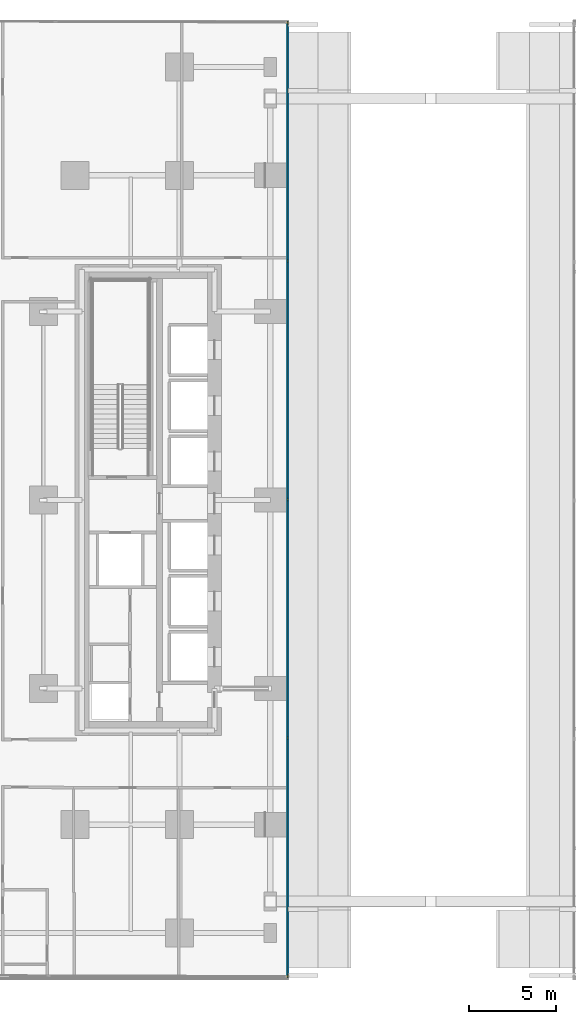
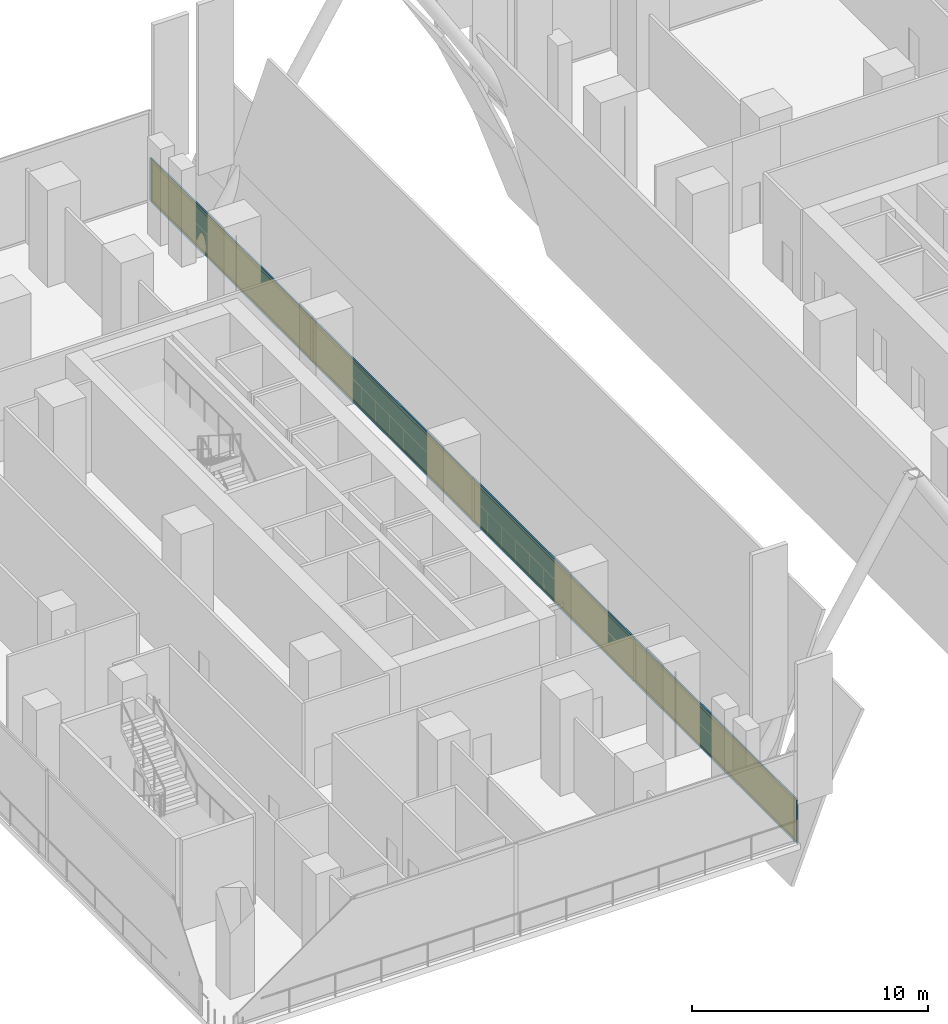
# One storey, part 14 of 31: 13 members, 4 plates, 1 curtain wall.
"""IFC4 building model written with IfcOpenShell, lengths in metres."""

from ifc_helpers import new_model, si_unit, direction, frame, frame_2d, origin, origin_2d, place, context, subcontext, project, spatial, rectangle, extrude, material, layer, layer_set, material_profile, profile_set, type_object, element, aggregate, save


model = new_model("IFC4")

# Units and contexts
model_context = context("Model", 3, precision=1e-05, world=origin(), true_north=direction((0.0, 1.0)))
body_context = subcontext(model_context, "Body", "Model", "MODEL_VIEW")
ifc_project = project(units=[si_unit("LENGTHUNIT", "METRE"), si_unit("AREAUNIT", "SQUARE_METRE"), si_unit("VOLUMEUNIT", "CUBIC_METRE"), si_unit("PLANEANGLEUNIT", "RADIAN"), si_unit("MASSUNIT", "GRAM", prefix="KILO")], contexts=[model_context])

# Member
ifc_material_1 = material(Name="Anodised Bronze Aluminium 6063-T6", Category="aluminium")
ifc_material_profile_1 = material_profile(ifc_material_1, rectangle(XDim=0.074951171875, YDim=0.199951171875, at=origin_2d()))
ifc_profile_set_1 = profile_set([ifc_material_profile_1], Name="Anodised Bronze Aluminium 6063-T6")
member_type_1 = type_object("IfcMemberType", Name="CW-POD Mullion 75x200", PredefinedType="MULLION", material=ifc_profile_set_1)
site_placement = place(None, origin())
building_placement = place(site_placement, origin())
storey_placement = place(building_placement, frame((0.0, 0.0, 6.0)))
member_1_placement = place(storey_placement, frame((-8.199951171875, 27.319091796875, 0.0), z_axis=(0.0, 0.0, 1.0), x_axis=(1.0, 0.0, 0.0)))
member_1 = element("IfcMember", 1, at=member_1_placement, type_object=member_type_1, Name="CW-POD mullion 1", PredefinedType="MULLION", context=body_context, shape_type="SweptSolid", body=[
    extrude(rectangle(XDim=0.074951171875, YDim=0.199951171875, at=origin_2d()), origin(), (0.0, 0.0, 1.0), 2.199951171875),
])

member_2_placement = place(storey_placement, frame((-8.199951171875, 13.691162109375, 0.0), z_axis=(0.0, 0.0, 1.0), x_axis=(1.0, 0.0, 0.0)))
member_2 = element("IfcMember", 2, at=member_2_placement, type_object=member_type_1, Name="CW-POD mullion 2", PredefinedType="MULLION", context=body_context, shape_type="SweptSolid", body=[
    extrude(rectangle(XDim=0.074951171875, YDim=0.199951171875, at=origin_2d()), origin(), (0.0, 0.0, 1.0), 2.199951171875),
])

member_3_placement = place(storey_placement, frame((-8.199951171875, 0.025634765625, 0.0), z_axis=(0.0, 0.0, 1.0), x_axis=(1.0, 0.0, 0.0)))
member_3 = element("IfcMember", 3, at=member_3_placement, type_object=member_type_1, Name="CW-POD mullion 3", PredefinedType="MULLION", context=body_context, shape_type="SweptSolid", body=[
    extrude(rectangle(XDim=0.074951171875, YDim=0.199951171875, at=origin_2d()), origin(), (0.0, 0.0, 1.0), 2.199951171875),
])

member_4_placement = place(storey_placement, frame((-8.199951171875, -13.6396484375, 0.0), z_axis=(0.0, 0.0, 1.0), x_axis=(1.0, 0.0, 0.0)))
member_4 = element("IfcMember", 4, at=member_4_placement, type_object=member_type_1, Name="CW-POD mullion 4", PredefinedType="MULLION", context=body_context, shape_type="SweptSolid", body=[
    extrude(rectangle(XDim=0.074951171875, YDim=0.199951171875, at=origin_2d()), origin(), (0.0, 0.0, 1.0), 2.199951171875),
])

member_5_placement = place(storey_placement, frame((-8.199951171875, -27.267578125, 0.0), z_axis=(0.0, 0.0, 1.0), x_axis=(1.0, 0.0, 0.0)))
member_5 = element("IfcMember", 5, at=member_5_placement, type_object=member_type_1, Name="CW-POD mullion 5", PredefinedType="MULLION", context=body_context, shape_type="SweptSolid", body=[
    extrude(rectangle(XDim=0.074951171875, YDim=0.199951171875, at=origin_2d()), origin(), (0.0, 0.0, 1.0), 2.199951171875),
])

ifc_material_2 = material(Name="Anodised Bronze Aluminium 6063-T6", Category="aluminium")
ifc_material_profile_2 = material_profile(ifc_material_2, rectangle(XDim=0.074951171875, YDim=0.159912109375, at=origin_2d()))
ifc_profile_set_2 = profile_set([ifc_material_profile_2], Name="Anodised Bronze Aluminium 6063-T6")
member_type_2 = type_object("IfcMemberType", Name="CW-POD Transom 75x160", PredefinedType="USERDEFINED", material=ifc_profile_set_2)
member_6_placement = place(storey_placement, frame((-8.199951171875, 27.281494140625, 0.03759765625), z_axis=(0.0, -1.0, 0.0), x_axis=(1.0, 0.0, 0.0)))
member_6 = element("IfcMember", 6, at=member_6_placement, type_object=member_type_2, Name="CW-POD transom 1.1", ObjectType="TRANSOM", PredefinedType="USERDEFINED", context=body_context, shape_type="SweptSolid", body=[
    extrude(rectangle(XDim=0.074951171875, YDim=0.159912109375, at=origin_2d()), origin(), (0.0, 0.0, 1.0), 13.552734375),
])

member_7_placement = place(storey_placement, frame((-8.199951171875, 27.281494140625, 2.16259765625), z_axis=(0.0, -1.0, 0.0), x_axis=(1.0, 0.0, 0.0)))
member_7 = element("IfcMember", 7, at=member_7_placement, type_object=member_type_2, Name="CW-POD transom 1.2", ObjectType="TRANSOM", PredefinedType="USERDEFINED", context=body_context, shape_type="SweptSolid", body=[
    extrude(rectangle(XDim=0.074951171875, YDim=0.159912109375, at=origin_2d()), origin(), (0.0, 0.0, 1.0), 13.552734375),
])

member_8_placement = place(storey_placement, frame((-8.199951171875, 13.653564453125, 0.03759765625), z_axis=(0.0, -1.0, 0.0), x_axis=(1.0, 0.0, 0.0)))
member_8 = element("IfcMember", 8, at=member_8_placement, type_object=member_type_2, Name="CW-POD transom 2.1", ObjectType="TRANSOM", PredefinedType="USERDEFINED", context=body_context, shape_type="SweptSolid", body=[
    extrude(rectangle(XDim=0.074951171875, YDim=0.159912109375, at=origin_2d()), origin(), (0.0, 0.0, 1.0), 13.59033203125),
])

member_9_placement = place(storey_placement, frame((-8.199951171875, 13.653564453125, 2.16259765625), z_axis=(0.0, -1.0, 0.0), x_axis=(1.0, 0.0, 0.0)))
member_9 = element("IfcMember", 9, at=member_9_placement, type_object=member_type_2, Name="CW-POD transom 2.2", ObjectType="TRANSOM", PredefinedType="USERDEFINED", context=body_context, shape_type="SweptSolid", body=[
    extrude(rectangle(XDim=0.074951171875, YDim=0.159912109375, at=origin_2d()), origin(), (0.0, 0.0, 1.0), 13.59033203125),
])

member_10_placement = place(storey_placement, frame((-8.199951171875, -0.01171875, 0.03759765625), z_axis=(0.0, -1.0, 0.0), x_axis=(1.0, 0.0, 0.0)))
member_10 = element("IfcMember", 10, at=member_10_placement, type_object=member_type_2, Name="CW-POD transom 3.1", ObjectType="TRANSOM", PredefinedType="USERDEFINED", context=body_context, shape_type="SweptSolid", body=[
    extrude(rectangle(XDim=0.074951171875, YDim=0.159912109375, at=origin_2d()), origin(), (0.0, 0.0, 1.0), 13.590576171875),
])

member_11_placement = place(storey_placement, frame((-8.199951171875, -0.01171875, 2.16259765625), z_axis=(0.0, -1.0, 0.0), x_axis=(1.0, 0.0, 0.0)))
member_11 = element("IfcMember", 11, at=member_11_placement, type_object=member_type_2, Name="CW-POD transom 3.2", ObjectType="TRANSOM", PredefinedType="USERDEFINED", context=body_context, shape_type="SweptSolid", body=[
    extrude(rectangle(XDim=0.074951171875, YDim=0.159912109375, at=origin_2d()), origin(), (0.0, 0.0, 1.0), 13.590576171875),
])

member_12_placement = place(storey_placement, frame((-8.199951171875, -13.67724609375, 0.03759765625), z_axis=(0.0, -1.0, 0.0), x_axis=(1.0, 0.0, 0.0)))
member_12 = element("IfcMember", 12, at=member_12_placement, type_object=member_type_2, Name="CW-POD transom 4.1", ObjectType="TRANSOM", PredefinedType="USERDEFINED", context=body_context, shape_type="SweptSolid", body=[
    extrude(rectangle(XDim=0.074951171875, YDim=0.159912109375, at=origin_2d()), origin(), (0.0, 0.0, 1.0), 13.552734375),
])

member_13_placement = place(storey_placement, frame((-8.199951171875, -13.67724609375, 2.16259765625), z_axis=(0.0, -1.0, 0.0), x_axis=(1.0, 0.0, 0.0)))
member_13 = element("IfcMember", 13, at=member_13_placement, type_object=member_type_2, Name="CW-POD transom 4.2", ObjectType="TRANSOM", PredefinedType="USERDEFINED", context=body_context, shape_type="SweptSolid", body=[
    extrude(rectangle(XDim=0.074951171875, YDim=0.159912109375, at=origin_2d()), origin(), (0.0, 0.0, 1.0), 13.552734375),
])

# Plate
ifc_material_3 = material(Name="Low-E Solar Control Laminated Glass", Category="glass")
ifc_layer_1 = layer(ifc_material_3, 0.031982421875, Name="Low-E Solar Control Laminated Glass")
ifc_layer_set_1 = layer_set([ifc_layer_1], Name="Low-E Solar Control Laminated Glass")
plate_type = type_object("IfcPlateType", Name="CW-POD Low-E Double Glazed Panel 32mm", PredefinedType="CURTAIN_PANEL", material=ifc_layer_set_1)
plate_1_placement = place(storey_placement, frame((-8.199951171875, 20.505126953125, 0.0751953125), z_axis=(0.0, 0.0, 1.0), x_axis=(0.0, -1.0, 0.0)))
plate_1 = element("IfcPlate", 14, at=plate_1_placement, type_object=plate_type, Name="CW-POD panel 1.1", PredefinedType="CURTAIN_PANEL", context=body_context, shape_type="SweptSolid", body=[
    extrude(rectangle(XDim=13.552978515625, YDim=0.031982421875, at=origin_2d()), origin(), (0.0, 0.0, 1.0), 2.050048828125),
])

plate_2_placement = place(storey_placement, frame((-8.199951171875, 6.8583984375, 0.0751953125), z_axis=(0.0, 0.0, 1.0), x_axis=(0.0, -1.0, 0.0)))
plate_2 = element("IfcPlate", 15, at=plate_2_placement, type_object=plate_type, Name="CW-POD panel 2.1", PredefinedType="CURTAIN_PANEL", context=body_context, shape_type="SweptSolid", body=[
    extrude(rectangle(XDim=13.59033203125, YDim=0.031982421875, at=origin_2d()), origin(), (0.0, 0.0, 1.0), 2.050048828125),
])

plate_3_placement = place(storey_placement, frame((-8.199951171875, -6.806884765625, 0.0751953125), z_axis=(0.0, 0.0, 1.0), x_axis=(0.0, -1.0, 0.0)))
plate_3 = element("IfcPlate", 16, at=plate_3_placement, type_object=plate_type, Name="CW-POD panel 3.1", PredefinedType="CURTAIN_PANEL", context=body_context, shape_type="SweptSolid", body=[
    extrude(rectangle(XDim=13.59033203125, YDim=0.031982421875, at=origin_2d()), origin(), (0.0, 0.0, 1.0), 2.050048828125),
])

plate_4_placement = place(storey_placement, frame((-8.199951171875, -20.45361328125, 0.0751953125), z_axis=(0.0, 0.0, 1.0), x_axis=(0.0, -1.0, 0.0)))
plate_4 = element("IfcPlate", 17, at=plate_4_placement, type_object=plate_type, Name="CW-POD panel 4.1", PredefinedType="CURTAIN_PANEL", context=body_context, shape_type="SweptSolid", body=[
    extrude(rectangle(XDim=13.552978515625, YDim=0.031982421875, at=origin_2d()), origin(), (0.0, 0.0, 1.0), 2.050048828125),
])

# Site, building, storey
site = spatial("IfcSite", under=ifc_project, at=site_placement, CompositionType="ELEMENT")
building = spatial("IfcBuilding", under=site, at=building_placement, Name="Khairoan Windgate Tower", CompositionType="ELEMENT")
storey = spatial("IfcBuildingStorey", under=building, at=storey_placement, Name="L02", CompositionType="ELEMENT", Elevation=6.0)

# Curtain wall
ifc_material_4 = material(Name="Anodised Bronze Aluminium 6063-T6", Category="aluminium")
ifc_layer_2 = layer(ifc_material_4, 0.199951171875, Name="Anodised Bronze Aluminium 6063-T6")
ifc_layer_set_2 = layer_set([ifc_layer_2], Name="Anodised Bronze Aluminium 6063-T6")
curtain_wall_type = type_object("IfcCurtainWallType", Name="Podium Arch Galleria Curtain Wall CW-POD", PredefinedType="NOTDEFINED", material=ifc_layer_set_2)
curtain_wall_placement = place(storey_placement, frame((-8.199951171875, 27.356689453125, 0.0), z_axis=(0.0, 0.0, 1.0), x_axis=(0.0, -1.0, 0.0)))
curtain_wall = element("IfcCurtainWall", 18, at=curtain_wall_placement, inside=storey, type_object=curtain_wall_type, Name="L02 Arch Concourse Side Vitrine 1", PredefinedType="NOTDEFINED", context=body_context, shape_type="SweptSolid", body=[
    extrude(rectangle(XDim=54.661865234375, YDim=0.010009765625, at=frame_2d((27.3310546875, 0.0))), origin(), (0.0, 0.0, 1.0), 2.199951171875),
])

aggregate(curtain_wall, [member_1, member_2, member_3, member_4, member_5, member_6, member_7, plate_1, member_8, member_9, plate_2, member_10, member_11, plate_3, member_12, member_13, plate_4])

save(model, "model.ifc")
